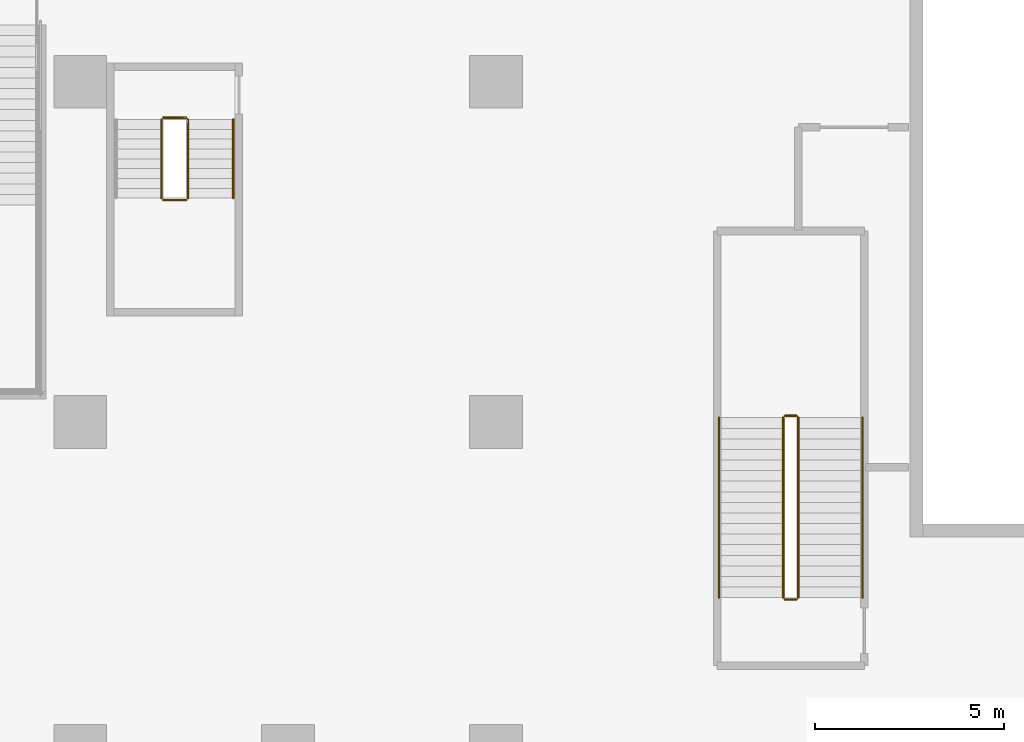
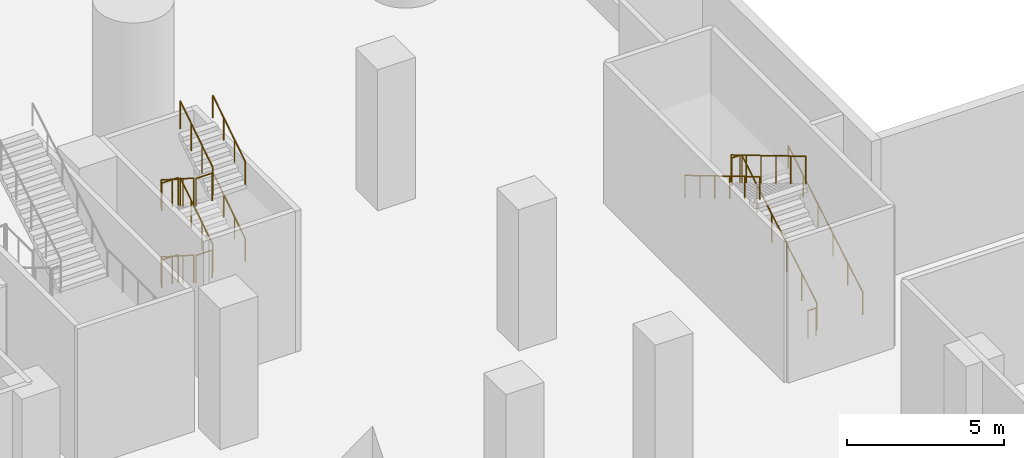
# One storey, part 43 of 52: 16 railings.
"""IFC4 building model written with IfcOpenShell, lengths in metres."""

from ifc_helpers import new_model, si_unit, direction, frame, origin, origin_2d, place, context, subcontext, project, spatial, circle, extrude, material, type_object, element, save


model = new_model("IFC4")

# Units and contexts
model_context = context("Model", 3, precision=1e-05, world=origin(), true_north=direction((0.0, 1.0)))
body_context = subcontext(model_context, "Body", "Model", "MODEL_VIEW")
ifc_project = project(units=[si_unit("LENGTHUNIT", "METRE"), si_unit("AREAUNIT", "SQUARE_METRE"), si_unit("VOLUMEUNIT", "CUBIC_METRE"), si_unit("PLANEANGLEUNIT", "RADIAN"), si_unit("MASSUNIT", "GRAM", prefix="KILO")], contexts=[model_context])

# Site, building, storey
site_placement = place(None, origin())
site = spatial("IfcSite", under=ifc_project, at=site_placement, CompositionType="ELEMENT")
building_placement = place(site_placement, origin())
building = spatial("IfcBuilding", under=site, at=building_placement, Name="Tamarind Cross Interchange Tower", CompositionType="ELEMENT")
storey_placement = place(building_placement, frame((0.0, 0.0, 9.0)))
storey = spatial("IfcBuildingStorey", under=building, at=storey_placement, Name="L01", CompositionType="ELEMENT", Elevation=9.0)

# Railings
ifc_material_1 = material(Name="Public stair guard")
railing_type_1 = type_object("IfcRailingType", Name="Public stair guard", PredefinedType="GUARDRAIL", material=ifc_material_1)
railing_1_placement = place(storey_placement, frame((13.5, -43.949951171875, 0.166748046875)))
element("IfcRailing", 1, at=railing_1_placement, inside=storey, type_object=railing_type_1, Name="L01 XS-P12 stair guard 1", PredefinedType="GUARDRAIL", context=body_context, shape_type="SweptSolid", body=[
    extrude(circle(Radius=0.02392578125, at=origin_2d()), frame((0.0, 0.0, 1.076171875), z_axis=(0.0, 0.859299802514, 0.511472237174), x_axis=(-1.0, 0.0, 0.0)), (0.0, 0.0, 1.0), 5.539306640625),
    extrude(circle(Radius=0.02099609375, at=origin_2d()), origin(), (0.0, 0.0, 1.0), 1.052001953125),
    extrude(circle(Radius=0.02099609375, at=origin_2d()), frame((0.0, 0.951904296875, 0.566650390625)), (0.0, 0.0, 1.0), 1.052001953125),
    extrude(circle(Radius=0.02099609375, at=origin_2d()), frame((0.0, 1.904052734375, 1.13330078125)), (0.0, 0.0, 1.0), 1.052001953125),
    extrude(circle(Radius=0.02099609375, at=origin_2d()), frame((0.0, 2.85595703125, 1.699951171875)), (0.0, 0.0, 1.0), 1.052001953125),
    extrude(circle(Radius=0.02099609375, at=origin_2d()), frame((0.0, 3.80810546875, 2.2666015625)), (0.0, 0.0, 1.0), 1.052001953125),
    extrude(circle(Radius=0.02099609375, at=origin_2d()), frame((0.0, 4.760009765625, 2.833251953125)), (0.0, 0.0, 1.0), 1.052001953125),
])
railing_2_placement = place(storey_placement, frame((13.449951171875, -39.139892578125, 3.0)))
element("IfcRailing", 2, at=railing_2_placement, inside=storey, type_object=railing_type_1, Name="L01 XS-P12 stair guard 2", PredefinedType="GUARDRAIL", context=body_context, shape_type="SweptSolid", body=[
    extrude(circle(Radius=0.02392578125, at=origin_2d()), frame((0.0, 0.0, 1.076171875), z_axis=(-1.0, 0.0, 0.0), x_axis=(0.0, -1.0, 0.0)), (0.0, 0.0, 1.0), 0.300048828125),
    extrude(circle(Radius=0.02099609375, at=origin_2d()), origin(), (0.0, 0.0, 1.0), 1.052001953125),
    extrude(circle(Radius=0.02099609375, at=origin_2d()), frame((-0.300048828125, 0.0, 0.0)), (0.0, 0.0, 1.0), 1.052001953125),
])
railing_3_placement = place(storey_placement, frame((13.10009765625, -39.18994140625, 3.166748046875)))
element("IfcRailing", 3, at=railing_3_placement, inside=storey, type_object=railing_type_1, Name="L01 XS-P12 stair guard 3", PredefinedType="GUARDRAIL", context=body_context, shape_type="SweptSolid", body=[
    extrude(circle(Radius=0.02392578125, at=origin_2d()), frame((0.0, 0.0, 1.076171875), z_axis=(0.0, -0.859299802514, 0.511472237174), x_axis=(1.0, 0.0, 0.0)), (0.0, 0.0, 1.0), 5.539306640625),
    extrude(circle(Radius=0.02099609375, at=origin_2d()), origin(), (0.0, 0.0, 1.0), 1.052001953125),
    extrude(circle(Radius=0.02099609375, at=origin_2d()), frame((0.0, -0.951904296875, 0.566650390625)), (0.0, 0.0, 1.0), 1.052001953125),
    extrude(circle(Radius=0.02099609375, at=origin_2d()), frame((0.0, -1.904052734375, 1.13330078125)), (0.0, 0.0, 1.0), 1.052001953125),
    extrude(circle(Radius=0.02099609375, at=origin_2d()), frame((0.0, -2.85595703125, 1.699951171875)), (0.0, 0.0, 1.0), 1.052001953125),
    extrude(circle(Radius=0.02099609375, at=origin_2d()), frame((0.0, -3.80810546875, 2.2666015625)), (0.0, 0.0, 1.0), 1.052001953125),
    extrude(circle(Radius=0.02099609375, at=origin_2d()), frame((0.0, -4.760009765625, 2.833251953125)), (0.0, 0.0, 1.0), 1.052001953125),
])
railing_4_placement = place(storey_placement, frame((13.449951171875, -44.0, 0.0)))
element("IfcRailing", 4, at=railing_4_placement, inside=storey, type_object=railing_type_1, Name="L01 XS-P12 stair guard 4", PredefinedType="GUARDRAIL", context=body_context, shape_type="SweptSolid", body=[
    extrude(circle(Radius=0.02392578125, at=origin_2d()), frame((0.0, 0.0, 1.076171875), z_axis=(-1.0, 0.0, 0.0), x_axis=(0.0, -1.0, 0.0)), (0.0, 0.0, 1.0), 0.300048828125),
    extrude(circle(Radius=0.02099609375, at=origin_2d()), origin(), (0.0, 0.0, 1.0), 1.052001953125),
    extrude(circle(Radius=0.02099609375, at=origin_2d()), frame((-0.300048828125, 0.0, 0.0)), (0.0, 0.0, 1.0), 1.052001953125),
])
ifc_material_2 = material(Name="Public stair handrail")
railing_type_2 = type_object("IfcRailingType", Name="Public stair handrail", PredefinedType="HANDRAIL", material=ifc_material_2)
railing_5_placement = place(storey_placement, frame((15.199951171875, -43.949951171875, 0.166748046875)))
element("IfcRailing", 5, at=railing_5_placement, inside=storey, type_object=railing_type_2, Name="L01 XS-P12 stair handrail 1", PredefinedType="HANDRAIL", context=body_context, shape_type="SweptSolid", body=[
    extrude(circle(Radius=0.02392578125, at=origin_2d()), frame((0.0, 0.0, 0.8759765625), z_axis=(0.0, 0.859299802514, 0.511472237174), x_axis=(-1.0, 0.0, 0.0)), (0.0, 0.0, 1.0), 5.539306640625),
    extrude(circle(Radius=0.02099609375, at=origin_2d()), origin(), (0.0, 0.0, 1.0), 0.851806640625),
    extrude(circle(Radius=0.02099609375, at=origin_2d()), frame((0.0, 0.951904296875, 0.566650390625)), (0.0, 0.0, 1.0), 0.851806640625),
    extrude(circle(Radius=0.02099609375, at=origin_2d()), frame((0.0, 1.904052734375, 1.13330078125)), (0.0, 0.0, 1.0), 0.851806640625),
    extrude(circle(Radius=0.02099609375, at=origin_2d()), frame((0.0, 2.85595703125, 1.699951171875)), (0.0, 0.0, 1.0), 0.851806640625),
    extrude(circle(Radius=0.02099609375, at=origin_2d()), frame((0.0, 3.80810546875, 2.2666015625)), (0.0, 0.0, 1.0), 0.851806640625),
    extrude(circle(Radius=0.02099609375, at=origin_2d()), frame((0.0, 4.760009765625, 2.833251953125)), (0.0, 0.0, 1.0), 0.851806640625),
])
railing_6_placement = place(storey_placement, frame((11.39990234375, -39.18994140625, 3.166748046875)))
element("IfcRailing", 6, at=railing_6_placement, inside=storey, type_object=railing_type_2, Name="L01 XS-P12 stair handrail 2", PredefinedType="HANDRAIL", context=body_context, shape_type="SweptSolid", body=[
    extrude(circle(Radius=0.02392578125, at=origin_2d()), frame((0.0, 0.0, 0.8759765625), z_axis=(0.0, -0.859299802514, 0.511472237174), x_axis=(1.0, 0.0, 0.0)), (0.0, 0.0, 1.0), 5.539306640625),
    extrude(circle(Radius=0.02099609375, at=origin_2d()), origin(), (0.0, 0.0, 1.0), 0.851806640625),
    extrude(circle(Radius=0.02099609375, at=origin_2d()), frame((0.0, -0.951904296875, 0.566650390625)), (0.0, 0.0, 1.0), 0.851806640625),
    extrude(circle(Radius=0.02099609375, at=origin_2d()), frame((0.0, -1.904052734375, 1.13330078125)), (0.0, 0.0, 1.0), 0.851806640625),
    extrude(circle(Radius=0.02099609375, at=origin_2d()), frame((0.0, -2.85595703125, 1.699951171875)), (0.0, 0.0, 1.0), 0.851806640625),
    extrude(circle(Radius=0.02099609375, at=origin_2d()), frame((0.0, -3.80810546875, 2.2666015625)), (0.0, 0.0, 1.0), 0.851806640625),
    extrude(circle(Radius=0.02099609375, at=origin_2d()), frame((0.0, -4.760009765625, 2.833251953125)), (0.0, 0.0, 1.0), 0.851806640625),
])
ifc_material_3 = material(Name="Stair guard")
railing_type_3 = type_object("IfcRailingType", Name="Stair guard", PredefinedType="GUARDRAIL", material=ifc_material_3)
railing_7_placement = place(storey_placement, frame((-3.35009765625, -31.300048828125, 0.166748046875)))
element("IfcRailing", 7, at=railing_7_placement, inside=storey, type_object=railing_type_3, Name="L01 ST6 stair guard 1", PredefinedType="GUARDRAIL", context=body_context, shape_type="SweptSolid", body=[
    extrude(circle(Radius=0.02392578125, at=origin_2d()), frame((0.0, 0.0, 1.076171875), z_axis=(0.0, -0.84187453394, 0.539673298491), x_axis=(1.0, 0.0, 0.0)), (0.0, 0.0, 1.0), 2.470458984375),
    extrude(circle(Radius=0.02099609375, at=origin_2d()), origin(), (0.0, 0.0, 1.0), 1.052001953125),
    extrude(circle(Radius=0.02099609375, at=origin_2d()), frame((0.0, -0.693359375, 0.4443359375)), (0.0, 0.0, 1.0), 1.052001953125),
    extrude(circle(Radius=0.02099609375, at=origin_2d()), frame((0.0, -1.386474609375, 0.888916015625)), (0.0, 0.0, 1.0), 1.052001953125),
    extrude(circle(Radius=0.02099609375, at=origin_2d()), frame((0.0, -2.079833984375, 1.333251953125)), (0.0, 0.0, 1.0), 1.052001953125),
])
railing_8_placement = place(storey_placement, frame((-3.300048828125, -33.429931640625, 1.5)))
element("IfcRailing", 8, at=railing_8_placement, inside=storey, type_object=railing_type_3, Name="L01 ST6 stair guard 2", PredefinedType="GUARDRAIL", context=body_context, shape_type="SweptSolid", body=[
    extrude(circle(Radius=0.02392578125, at=origin_2d()), frame((0.0, 0.0, 1.076171875), z_axis=(1.0, 0.0, 0.0), x_axis=(0.0, 1.0, 0.0)), (0.0, 0.0, 1.0), 0.60009765625),
    extrude(circle(Radius=0.02099609375, at=origin_2d()), origin(), (0.0, 0.0, 1.0), 1.052001953125),
    extrude(circle(Radius=0.02099609375, at=origin_2d()), frame((0.60009765625, 0.0, 0.0)), (0.0, 0.0, 1.0), 1.052001953125),
])
railing_9_placement = place(storey_placement, frame((-2.64990234375, -33.3798828125, 1.666748046875)))
element("IfcRailing", 9, at=railing_9_placement, inside=storey, type_object=railing_type_3, Name="L01 ST6 stair guard 3", PredefinedType="GUARDRAIL", context=body_context, shape_type="SweptSolid", body=[
    extrude(circle(Radius=0.02392578125, at=origin_2d()), frame((0.0, 0.0, 1.076171875), z_axis=(0.0, 0.84187453394, 0.539673298491), x_axis=(-1.0, 0.0, 0.0)), (0.0, 0.0, 1.0), 2.470458984375),
    extrude(circle(Radius=0.02099609375, at=origin_2d()), origin(), (0.0, 0.0, 1.0), 1.052001953125),
    extrude(circle(Radius=0.02099609375, at=origin_2d()), frame((0.0, 0.693359375, 0.4443359375)), (0.0, 0.0, 1.0), 1.052001953125),
    extrude(circle(Radius=0.02099609375, at=origin_2d()), frame((0.0, 1.386474609375, 0.888916015625)), (0.0, 0.0, 1.0), 1.052001953125),
    extrude(circle(Radius=0.02099609375, at=origin_2d()), frame((0.0, 2.079833984375, 1.333251953125)), (0.0, 0.0, 1.0), 1.052001953125),
])
railing_10_placement = place(storey_placement, frame((-3.300048828125, -31.25, 3.0)))
element("IfcRailing", 10, at=railing_10_placement, inside=storey, type_object=railing_type_3, Name="L01 ST6 stair guard 4", PredefinedType="GUARDRAIL", context=body_context, shape_type="SweptSolid", body=[
    extrude(circle(Radius=0.02392578125, at=origin_2d()), frame((0.0, 0.0, 1.076171875), z_axis=(1.0, 0.0, 0.0), x_axis=(0.0, 1.0, 0.0)), (0.0, 0.0, 1.0), 0.60009765625),
    extrude(circle(Radius=0.02099609375, at=origin_2d()), origin(), (0.0, 0.0, 1.0), 1.052001953125),
    extrude(circle(Radius=0.02099609375, at=origin_2d()), frame((0.60009765625, 0.0, 0.0)), (0.0, 0.0, 1.0), 1.052001953125),
])
railing_11_placement = place(storey_placement, frame((-3.35009765625, -31.300048828125, 3.166748046875)))
element("IfcRailing", 11, at=railing_11_placement, inside=storey, type_object=railing_type_3, Name="L01 ST6 stair guard 5", PredefinedType="GUARDRAIL", context=body_context, shape_type="SweptSolid", body=[
    extrude(circle(Radius=0.02392578125, at=origin_2d()), frame((0.0, 0.0, 1.076171875), z_axis=(0.0, -0.84187453394, 0.539673298491), x_axis=(1.0, 0.0, 0.0)), (0.0, 0.0, 1.0), 2.470458984375),
    extrude(circle(Radius=0.02099609375, at=origin_2d()), origin(), (0.0, 0.0, 1.0), 1.052001953125),
    extrude(circle(Radius=0.02099609375, at=origin_2d()), frame((0.0, -0.693359375, 0.4443359375)), (0.0, 0.0, 1.0), 1.052001953125),
    extrude(circle(Radius=0.02099609375, at=origin_2d()), frame((0.0, -1.386474609375, 0.888916015625)), (0.0, 0.0, 1.0), 1.052001953125),
    extrude(circle(Radius=0.02099609375, at=origin_2d()), frame((0.0, -2.079833984375, 1.333251953125)), (0.0, 0.0, 1.0), 1.052001953125),
])
railing_12_placement = place(storey_placement, frame((-3.300048828125, -33.429931640625, 4.5)))
element("IfcRailing", 12, at=railing_12_placement, inside=storey, type_object=railing_type_3, Name="L01 ST6 stair guard 6", PredefinedType="GUARDRAIL", context=body_context, shape_type="SweptSolid", body=[
    extrude(circle(Radius=0.02392578125, at=origin_2d()), frame((0.0, 0.0, 1.076171875), z_axis=(1.0, 0.0, 0.0), x_axis=(0.0, 1.0, 0.0)), (0.0, 0.0, 1.0), 0.60009765625),
    extrude(circle(Radius=0.02099609375, at=origin_2d()), origin(), (0.0, 0.0, 1.0), 1.052001953125),
    extrude(circle(Radius=0.02099609375, at=origin_2d()), frame((0.60009765625, 0.0, 0.0)), (0.0, 0.0, 1.0), 1.052001953125),
])
railing_13_placement = place(storey_placement, frame((-2.64990234375, -33.3798828125, 4.666748046875)))
element("IfcRailing", 13, at=railing_13_placement, inside=storey, type_object=railing_type_3, Name="L01 ST6 stair guard 7", PredefinedType="GUARDRAIL", context=body_context, shape_type="SweptSolid", body=[
    extrude(circle(Radius=0.02392578125, at=origin_2d()), frame((0.0, 0.0, 1.076171875), z_axis=(0.0, 0.84187453394, 0.539673298491), x_axis=(-1.0, 0.0, 0.0)), (0.0, 0.0, 1.0), 2.470458984375),
    extrude(circle(Radius=0.02099609375, at=origin_2d()), origin(), (0.0, 0.0, 1.0), 1.052001953125),
    extrude(circle(Radius=0.02099609375, at=origin_2d()), frame((0.0, 0.693359375, 0.4443359375)), (0.0, 0.0, 1.0), 1.052001953125),
    extrude(circle(Radius=0.02099609375, at=origin_2d()), frame((0.0, 1.386474609375, 0.888916015625)), (0.0, 0.0, 1.0), 1.052001953125),
    extrude(circle(Radius=0.02099609375, at=origin_2d()), frame((0.0, 2.079833984375, 1.333251953125)), (0.0, 0.0, 1.0), 1.052001953125),
])
railing_14_placement = place(storey_placement, frame((-3.300048828125, -31.25, 0.0)))
element("IfcRailing", 14, at=railing_14_placement, inside=storey, type_object=railing_type_3, Name="L01 ST6 stair guard 8", PredefinedType="GUARDRAIL", context=body_context, shape_type="SweptSolid", body=[
    extrude(circle(Radius=0.02392578125, at=origin_2d()), frame((0.0, 0.0, 1.076171875), z_axis=(1.0, 0.0, 0.0), x_axis=(0.0, 1.0, 0.0)), (0.0, 0.0, 1.0), 0.60009765625),
    extrude(circle(Radius=0.02099609375, at=origin_2d()), origin(), (0.0, 0.0, 1.0), 1.052001953125),
    extrude(circle(Radius=0.02099609375, at=origin_2d()), frame((0.60009765625, 0.0, 0.0)), (0.0, 0.0, 1.0), 1.052001953125),
])
ifc_material_4 = material(Name="Stair handrail")
railing_type_4 = type_object("IfcRailingType", Name="Stair handrail", PredefinedType="HANDRAIL", material=ifc_material_4)
for number, where, name in (
    (15, (-1.449951171875, -33.3798828125, 1.666748046875), "L01 ST6 stair handrail 2"),
    (16, (-1.449951171875, -33.3798828125, 4.666748046875), "L01 ST6 stair handrail 4"),
):
    element("IfcRailing", number, at=place(storey_placement, frame(where)), inside=storey, type_object=railing_type_4, Name=name, PredefinedType="HANDRAIL", context=body_context, shape_type="SweptSolid", body=[
        extrude(circle(Radius=0.02392578125, at=origin_2d()), frame((0.0, 0.0, 0.8759765625), z_axis=(0.0, 0.84187453394, 0.539673298491), x_axis=(-1.0, 0.0, 0.0)), (0.0, 0.0, 1.0), 2.470458984375),
        extrude(circle(Radius=0.02099609375, at=origin_2d()), origin(), (0.0, 0.0, 1.0), 0.851806640625),
        extrude(circle(Radius=0.02099609375, at=origin_2d()), frame((0.0, 0.693359375, 0.4443359375)), (0.0, 0.0, 1.0), 0.851806640625),
        extrude(circle(Radius=0.02099609375, at=origin_2d()), frame((0.0, 1.386474609375, 0.888916015625)), (0.0, 0.0, 1.0), 0.851806640625),
        extrude(circle(Radius=0.02099609375, at=origin_2d()), frame((0.0, 2.079833984375, 1.333251953125)), (0.0, 0.0, 1.0), 0.851806640625),
    ])

save(model, "model.ifc")
